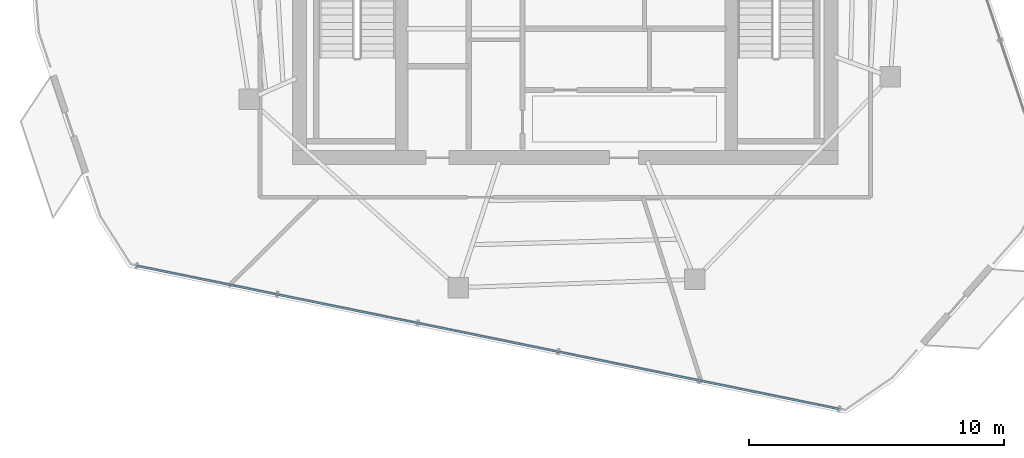
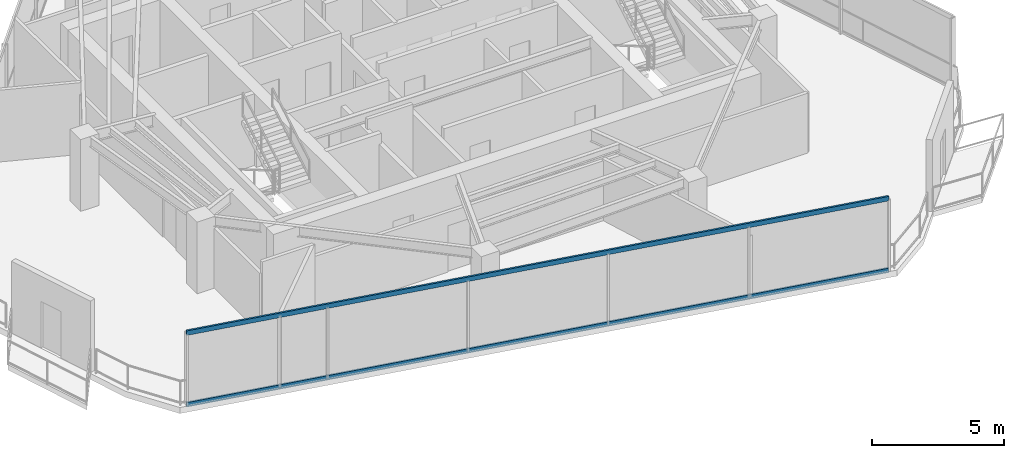
# One storey, part 3 of 18: 2 members, 1 element without a shape of its own.
"""IFC4 building model written with IfcOpenShell, lengths in metres."""

from ifc_helpers import new_model, si_unit, direction, frame, origin, origin_2d, place, context, subcontext, project, spatial, hollow_rectangle, extrude, material, layer, layer_set, material_profile, profile_set, type_object, element, aggregate, save


model = new_model("IFC4")

# Units and contexts
model_context = context("Model", 3, precision=1e-05, world=origin(), true_north=direction((0.0, 1.0)))
body_context = subcontext(model_context, "Body", "Model", "MODEL_VIEW")
ifc_project = project(units=[si_unit("LENGTHUNIT", "METRE"), si_unit("AREAUNIT", "SQUARE_METRE"), si_unit("VOLUMEUNIT", "CUBIC_METRE"), si_unit("PLANEANGLEUNIT", "RADIAN"), si_unit("MASSUNIT", "GRAM", prefix="KILO")], contexts=[model_context])

# Site, building, storey
site_placement = place(None, origin())
site = spatial("IfcSite", under=ifc_project, at=site_placement, CompositionType="ELEMENT")
building_placement = place(site_placement, origin())
building = spatial("IfcBuilding", under=site, at=building_placement, Name="Qarnah Convention Tower", CompositionType="ELEMENT")
storey_placement = place(building_placement, frame((0.0, 0.0, 249.89990234375)))
storey = spatial("IfcBuildingStorey", under=building, at=storey_placement, Name="L67", CompositionType="ELEMENT", Elevation=249.89990234375)

# Curtain wall, members
ifc_material_1 = material(Name="Tempered Low-E dark glass", Category="glass")
ifc_layer = layer(ifc_material_1, 0.176025390625)
ifc_layer_set = layer_set([ifc_layer], Name="Tempered Low-E dark glass")
curtain_wall_type = type_object("IfcCurtainWallType", Name="CWS-05", PredefinedType="NOTDEFINED", material=ifc_layer_set)
curtain_wall_placement = place(storey_placement, origin())
curtain_wall = element("IfcCurtainWall", 1, at=curtain_wall_placement, inside=storey, type_object=curtain_wall_type, Name="L67 unitised curtain wall CW-L67-F3", PredefinedType="NOTDEFINED")
ifc_material_2 = material(Name="Black anodised aluminium", Category="aluminium")
ifc_material_profile = material_profile(ifc_material_2, hollow_rectangle(XDim=0.080078125, YDim=0.2099609375, WallThickness=0.0048828125, at=origin_2d()), Name="TRN-80X210")
ifc_profile_set = profile_set([ifc_material_profile], Name="Black anodised aluminium")
member_type = type_object("IfcMemberType", Name="TRN-T5", PredefinedType="USERDEFINED", material=ifc_profile_set)
member_1_placement = place(storey_placement, frame((47.929931640625, 8.7548828125, 0.0), z_axis=(-0.979846837133, 0.199750283506, 0.0), x_axis=(-0.199750283506, -0.979846837133, 0.0)))
member_1 = element("IfcMember", 2, at=member_1_placement, type_object=member_type, Name="CW-L67-F3 transom 1", ObjectType="TRANSOM", PredefinedType="USERDEFINED", context=body_context, shape_type="SweptSolid", body=[
    extrude(hollow_rectangle(XDim=0.080078125, YDim=0.2099609375, WallThickness=0.0048828125, at=origin_2d()), origin(), (0.0, 0.0, 1.0), 28.075927734375),
])
member_2_placement = place(storey_placement, frame((47.929931640625, 8.7548828125, 3.320068359375), z_axis=(-0.979846837133, 0.199750283506, 0.0), x_axis=(-0.199750283506, -0.979846837133, 0.0)))
member_2 = element("IfcMember", 3, at=member_2_placement, type_object=member_type, Name="CW-L67-F3 transom 2", ObjectType="TRANSOM", PredefinedType="USERDEFINED", context=body_context, shape_type="SweptSolid", body=[
    extrude(hollow_rectangle(XDim=0.080078125, YDim=0.2099609375, WallThickness=0.0048828125, at=origin_2d()), origin(), (0.0, 0.0, 1.0), 28.075927734375),
])
aggregate(curtain_wall, [member_1, member_2])

save(model, "model.ifc")
